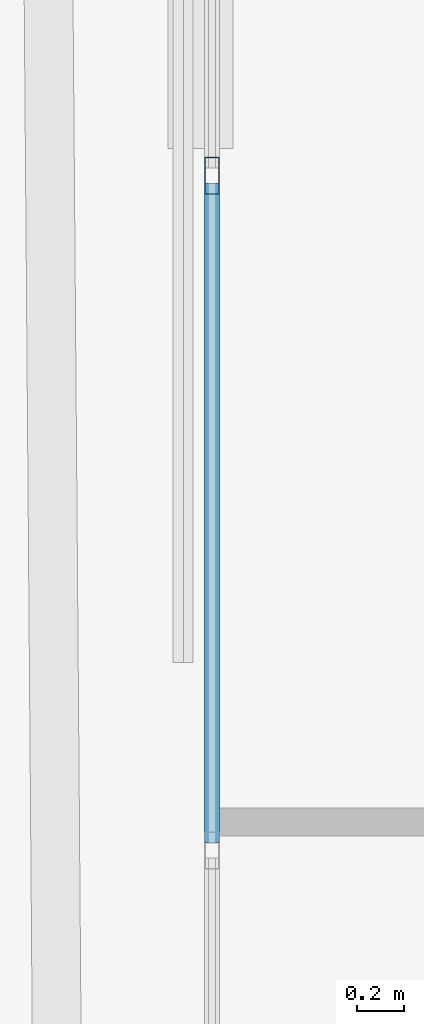
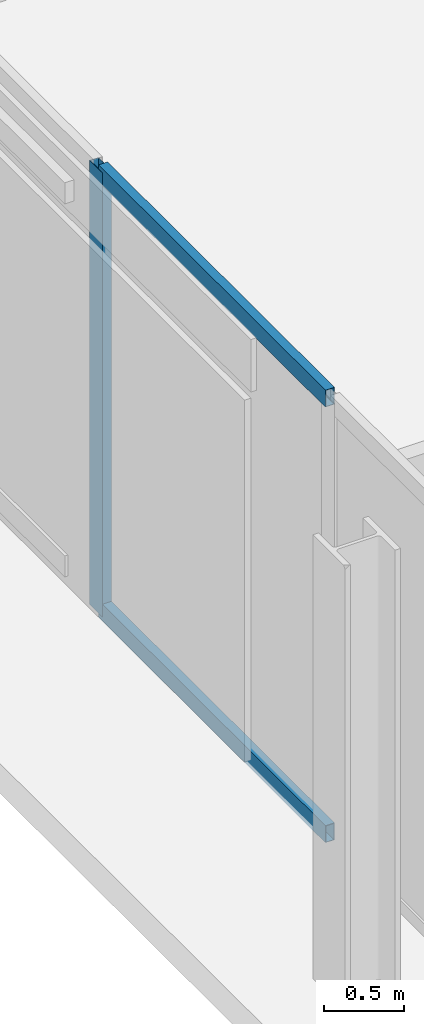
# One storey, part 14 of 39: 3 members, 1 element without a shape of its own.
"""IFC4 building model written with IfcOpenShell, lengths in metres."""

from ifc_helpers import new_model, si_unit, direction, frame, origin, origin_2d, place, context, subcontext, project, spatial, hollow_rectangle, extrude, material, layer, layer_set, material_profile, profile_set, type_object, element, aggregate, save


model = new_model("IFC4")

# Units and contexts
model_context = context("Model", 3, precision=1e-05, world=origin(), true_north=direction((0.0, 1.0)))
body_context = subcontext(model_context, "Body", "Model", "MODEL_VIEW")
ifc_project = project(units=[si_unit("LENGTHUNIT", "METRE"), si_unit("AREAUNIT", "SQUARE_METRE"), si_unit("VOLUMEUNIT", "CUBIC_METRE"), si_unit("PLANEANGLEUNIT", "RADIAN"), si_unit("MASSUNIT", "GRAM", prefix="KILO")], contexts=[model_context])

# Site, building, storey
site_placement = place(None, origin())
site = spatial("IfcSite", under=ifc_project, at=site_placement, CompositionType="ELEMENT")
building_placement = place(site_placement, origin())
building = spatial("IfcBuilding", under=site, at=building_placement, Name="Caelvoria Tower", CompositionType="ELEMENT")
storey_placement = place(building_placement, frame((0.0, 0.0, 198.60009765625)))
storey = spatial("IfcBuildingStorey", under=building, at=storey_placement, Name="L52", CompositionType="ELEMENT", Elevation=198.60009765625)

# Curtain wall, members
ifc_material_1 = material(Name="Anodised Bronze Aluminium and Low-E Glass", Category="aluminium")
ifc_layer = layer(ifc_material_1, 0.175048828125, Name="Anodised Bronze Aluminium and Low-E Glass")
ifc_layer_set = layer_set([ifc_layer], Name="CW System 4 High-Zone Tapered Crystal Facade - Anodised Bronze Aluminium and Low-E Glass")
curtain_wall_type = type_object("IfcCurtainWallType", Name="CW System 4 High-Zone Tapered Crystal Facade", PredefinedType="NOTDEFINED", material=ifc_layer_set)
curtain_wall_placement = place(storey_placement, origin())
curtain_wall = element("IfcCurtainWall", 1, at=curtain_wall_placement, inside=storey, type_object=curtain_wall_type, Name="CW-04 Curtain Wall L52-E6", PredefinedType="NOTDEFINED")
ifc_material_2 = material(Name="Anodised Bronze Architectural Aluminium", Category="aluminium")
ifc_material_profile_1 = material_profile(ifc_material_2, hollow_rectangle(XDim=0.06494140625, YDim=0.159912109375, WallThickness=0.00390625, at=origin_2d()), Name="Anodised Bronze Architectural Aluminium")
ifc_profile_set_1 = profile_set([ifc_material_profile_1], Name="CW_MULL_65X160 - Anodised Bronze Architectural Aluminium")
member_type_1 = type_object("IfcMemberType", Name="Curtain Wall Mullion 65x160 Bronze Aluminium", PredefinedType="MULLION", material=ifc_profile_set_1)
member_1_placement = place(storey_placement, frame((25.179931640625, 36.333251953125, 0.0), z_axis=(0.0, 0.0, 1.0), x_axis=(1.0, 0.0, 0.0)))
member_1 = element("IfcMember", 2, at=member_1_placement, type_object=member_type_1, Name="CW-04 mullion 4", PredefinedType="MULLION", context=body_context, shape_type="SweptSolid", body=[
    extrude(hollow_rectangle(XDim=0.06494140625, YDim=0.159912109375, WallThickness=0.00390625, at=origin_2d()), origin(), (0.0, 0.0, 1.0), 3.375),
])
ifc_material_profile_2 = material_profile(ifc_material_2, hollow_rectangle(XDim=0.06494140625, YDim=0.1298828125, WallThickness=0.00341796875, at=origin_2d()), Name="Anodised Bronze Architectural Aluminium")
ifc_profile_set_2 = profile_set([ifc_material_profile_2], Name="CW_TRAN_65X130 - Anodised Bronze Architectural Aluminium")
member_type_2 = type_object("IfcMemberType", Name="Curtain Wall Transom 65x130 Bronze Aluminium", PredefinedType="USERDEFINED", material=ifc_profile_set_2)
member_2_placement = place(storey_placement, frame((25.179931640625, 36.30078125, 0.032470703125), z_axis=(0.0, -1.0, 0.0), x_axis=(1.0, 0.0, 0.0)))
member_2 = element("IfcMember", 3, at=member_2_placement, type_object=member_type_2, Name="CW-04 transom 4.1", ObjectType="TRANSOM", PredefinedType="USERDEFINED", context=body_context, shape_type="SweptSolid", body=[
    extrude(hollow_rectangle(XDim=0.06494140625, YDim=0.1298828125, WallThickness=0.00341796875, at=origin_2d()), origin(), (0.0, 0.0, 1.0), 2.82373046875),
])
member_3_placement = place(storey_placement, frame((25.179931640625, 36.30078125, 3.34228515625), z_axis=(0.0, -1.0, 0.0), x_axis=(1.0, 0.0, 0.0)))
member_3 = element("IfcMember", 4, at=member_3_placement, type_object=member_type_2, Name="CW-04 transom 4.2", ObjectType="TRANSOM", PredefinedType="USERDEFINED", context=body_context, shape_type="SweptSolid", body=[
    extrude(hollow_rectangle(XDim=0.06494140625, YDim=0.1298828125, WallThickness=0.00341796875, at=origin_2d()), origin(), (0.0, 0.0, 1.0), 2.82373046875),
])
aggregate(curtain_wall, [member_1, member_2, member_3])

save(model, "model.ifc")
